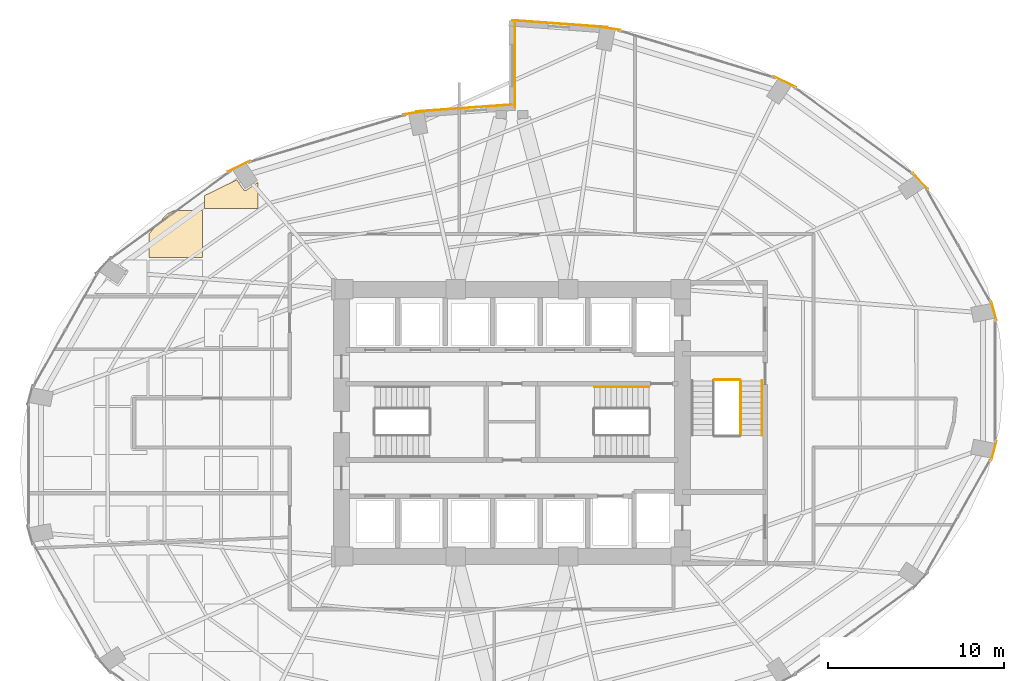
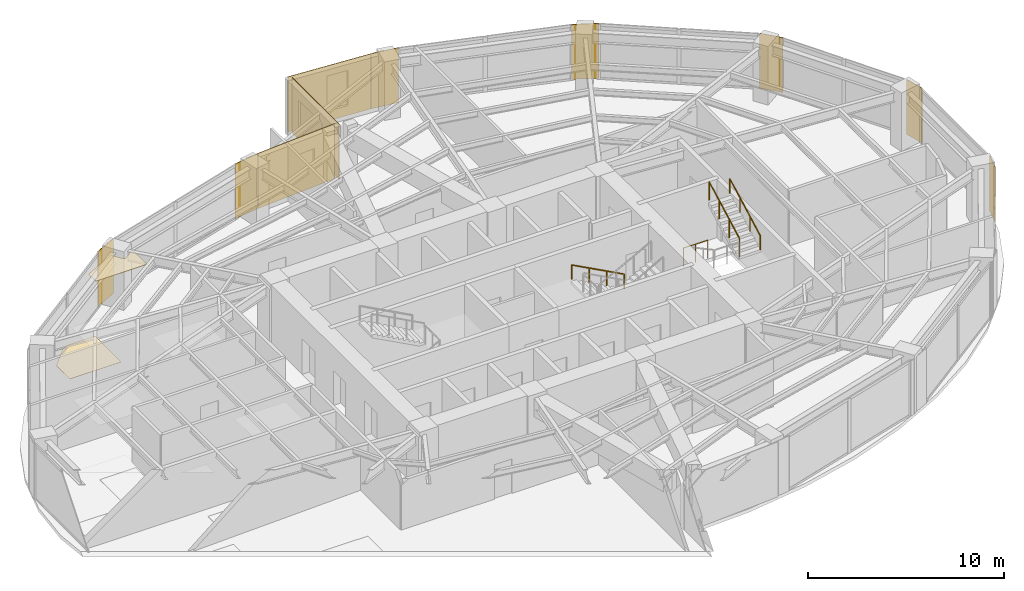
# One storey, part 24 of 24: 12 coverings, 4 railings.
"""IFC4 building model written with IfcOpenShell, lengths in metres."""

from ifc_helpers import new_model, si_unit, direction, frame, origin, origin_2d, place, context, subcontext, project, spatial, polyline, rectangle, circle, outline, extrude, material, layer, layer_set, type_object, element, save


model = new_model("IFC4")

# Units and contexts
model_context = context("Model", 3, precision=1e-05, world=origin(), true_north=direction((0.0, 1.0)))
body_context = subcontext(model_context, "Body", "Model", "MODEL_VIEW")
ifc_project = project(units=[si_unit("LENGTHUNIT", "METRE"), si_unit("AREAUNIT", "SQUARE_METRE"), si_unit("VOLUMEUNIT", "CUBIC_METRE"), si_unit("PLANEANGLEUNIT", "RADIAN"), si_unit("MASSUNIT", "GRAM", prefix="KILO")], contexts=[model_context])

# Site, building, storey
site_placement = place(None, origin())
site = spatial("IfcSite", under=ifc_project, at=site_placement, CompositionType="ELEMENT")
building_placement = place(site_placement, origin())
building = spatial("IfcBuilding", under=site, at=building_placement, Name="Lazwardi Medical Tower", CompositionType="ELEMENT")
storey_placement = place(building_placement, frame((0.0, 0.0, 36.14404296875)))
storey = spatial("IfcBuildingStorey", under=building, at=storey_placement, Name="L08", CompositionType="ELEMENT", Elevation=36.14404296875)

# Coverings
ifc_material_1 = material(Name="Anodised bronze aluminium cassette cladding", Category="aluminium")
ifc_layer_1 = layer(ifc_material_1, 0.030029296875)
ifc_layer_set_1 = layer_set([ifc_layer_1], Name="Anodised bronze aluminium cassette cladding")
covering_type_1 = type_object("IfcCoveringType", Name="COV-CLD-BRZ", PredefinedType="CLADDING", material=ifc_layer_set_1)
for number, where, z_axis, x_axis, name in (
    (1, (63.420654296875, 26.408203125, 0.0), (0.0, 0.0, 1.0), (0.262283496593, 0.964990863902, 0.0), "L08 Mega-column bronze cassette cover M04"),
    (2, (63.420654296875, 34.3916015625, 0.0), (0.0, 0.0, 1.0), (-0.262283496593, 0.964990863902, 0.0), "L08 Mega-column bronze cassette cover M05"),
):
    element("IfcCovering", number, at=place(storey_placement, frame(where, z_axis=z_axis, x_axis=x_axis)), inside=storey, type_object=covering_type_1, Name=name, PredefinedType="CLADDING", context=body_context, shape_type="SweptSolid", body=[
        extrude(rectangle(XDim=1.12548828125, YDim=0.030029296875, at=origin_2d()), origin(), (0.0, 0.0, 1.0), 3.427978515625),
    ])
covering_1_placement = place(storey_placement, frame((59.24609375, 41.767333984375, 0.0), z_axis=(0.0, 0.0, 1.0), x_axis=(-0.674252120961, 0.738501237223, 0.0)))
element("IfcCovering", 3, at=covering_1_placement, inside=storey, type_object=covering_type_1, Name="L08 Mega-column bronze cassette cover M06", PredefinedType="CLADDING", context=body_context, shape_type="SweptSolid", body=[
    extrude(rectangle(XDim=1.24658203125, YDim=0.030029296875, at=origin_2d()), origin(), (0.0, 0.0, 1.0), 3.427978515625),
])
covering_2_placement = place(storey_placement, frame((51.532470703125, 47.412353515625, 0.0), z_axis=(0.0, 0.0, 1.0), x_axis=(-0.898334492373, 0.439312121178, 0.0)))
element("IfcCovering", 4, at=covering_2_placement, inside=storey, type_object=covering_type_1, Name="L08 Mega-column bronze cassette cover M07", PredefinedType="CLADDING", context=body_context, shape_type="SweptSolid", body=[
    extrude(rectangle(XDim=1.400390625, YDim=0.030029296875, at=origin_2d()), origin(), (0.0, 0.0, 1.0), 3.427978515625),
])
for number, where, z_axis, x_axis, name in (
    (5, (41.454345703125, 50.46728515625, 0.0), (0.0, 0.0, 1.0), (-0.98957259946, 0.144034962415, 0.0), "L08 Mega-column bronze cassette cover M08"),
    (6, (30.545654296875, 45.66748046875, 0.0), (0.0, 0.0, 1.0), (-0.98957259946, -0.144034962415, 0.0), "L08 Mega-column bronze cassette cover M09"),
):
    element("IfcCovering", number, at=place(storey_placement, frame(where, z_axis=z_axis, x_axis=x_axis)), inside=storey, type_object=covering_type_1, Name=name, PredefinedType="CLADDING", context=body_context, shape_type="SweptSolid", body=[
        extrude(rectangle(XDim=1.49951171875, YDim=0.030029296875, at=origin_2d()), origin(), (0.0, 0.0, 1.0), 3.427978515625),
    ])
covering_3_placement = place(storey_placement, frame((20.467529296875, 42.6123046875, 0.0), z_axis=(0.0, 0.0, 1.0), x_axis=(-0.898334492373, -0.439312121178, 0.0)))
element("IfcCovering", 7, at=covering_3_placement, inside=storey, type_object=covering_type_1, Name="L08 Mega-column bronze cassette cover M10", PredefinedType="CLADDING", context=body_context, shape_type="SweptSolid", body=[
    extrude(rectangle(XDim=1.400390625, YDim=0.030029296875, at=origin_2d()), origin(), (0.0, 0.0, 1.0), 3.427978515625),
])
ifc_material_2 = material(Name="Turquoise glazed ceramic tilework cladding", Category="masonry")
ifc_layer_2 = layer(ifc_material_2, 0.034912109375)
ifc_layer_set_2 = layer_set([ifc_layer_2], Name="Turquoise glazed ceramic tilework cladding")
covering_type_2 = type_object("IfcCoveringType", Name="COV-CLD-TRQ", PredefinedType="CLADDING", material=ifc_layer_set_2)
covering_4_placement = place(storey_placement, frame((38.728271484375, 50.719482421875, 0.0), z_axis=(0.0, 0.0, 1.0), x_axis=(-0.997421404513, 0.071767275412, 0.0)))
element("IfcCovering", 8, at=covering_4_placement, inside=storey, type_object=covering_type_2, Name="L08 Turquoise glazed ceramic tilework cladding", PredefinedType="CLADDING", context=body_context, shape_type="SweptSolid", body=[
    extrude(rectangle(XDim=5.4453125, YDim=0.034912109375, at=origin_2d()), origin(), (0.0, 0.0, 1.0), 3.427978515625),
])
covering_5_placement = place(storey_placement, frame((33.271484375, 45.919677734375, 0.0), z_axis=(0.0, 0.0, 1.0), x_axis=(-0.997420903458, -0.071774238726, 0.0)))
element("IfcCovering", 9, at=covering_5_placement, inside=storey, type_object=covering_type_2, Name="L08 Turquoise glazed ceramic tilework cladding", PredefinedType="CLADDING", context=body_context, shape_type="SweptSolid", body=[
    extrude(rectangle(XDim=5.44482421875, YDim=0.034912109375, at=origin_2d()), origin(), (0.0, 0.0, 1.0), 3.427978515625),
])
covering_6_placement = place(storey_placement, frame((36.175537109375, 48.340087890625, 0.0), z_axis=(0.0, 0.0, 1.0), x_axis=(0.0, -1.0, 0.0)))
element("IfcCovering", 10, at=covering_6_placement, inside=storey, type_object=covering_type_2, Name="L08 Turquoise glazed ceramic tilework iwan panel", PredefinedType="CLADDING", context=body_context, shape_type="SweptSolid", body=[
    extrude(rectangle(XDim=4.800048828125, YDim=0.034912109375, at=origin_2d()), origin(), (0.0, 0.0, 1.0), 3.427978515625),
])
ifc_material_3 = material(Name="Acoustic mineral fibre tile")
ifc_layer_3 = layer(ifc_material_3, 0.02490234375)
ifc_layer_set_3 = layer_set([ifc_layer_3], Name="Acoustic mineral fibre tile")
covering_type_3 = type_object("IfcCoveringType", Name="COV-CLG-01", PredefinedType="CEILING", material=ifc_layer_set_3)
covering_7_placement = place(storey_placement, frame((0.0, 0.0, 3.282958984375)))
element("IfcCovering", 11, at=covering_7_placement, inside=storey, type_object=covering_type_3, Name="L08 Clinical Acoustic Ceiling 9", PredefinedType="CEILING", context=body_context, shape_type="SweptSolid", body=[
    extrude(outline(polyline([(21.532958984375, 41.68896484375), (20.84765625, 41.231201171875), (20.8408203125, 41.22705078125), (20.833740234375, 41.2236328125), (20.826416015625, 41.220947265625), (20.81884765625, 41.218994140625), (20.81103515625, 41.218017578125), (20.80322265625, 41.217529296875), (20.79541015625, 41.218017578125), (20.78759765625, 41.218994140625), (20.780029296875, 41.220947265625), (20.772705078125, 41.2236328125), (20.765380859375, 41.22705078125), (20.7587890625, 41.231201171875), (20.75244140625, 41.23583984375), (20.74658203125, 41.240966796875), (20.741455078125, 41.246826171875), (20.73681640625, 41.253173828125), (20.3447265625, 41.839599609375), (18.5029296875, 40.940673828125), (18.5029296875, 40.202392578125), (21.532958984375, 40.202392578125), (21.532958984375, 41.68896484375)])), origin(), (0.0, 0.0, 1.0), 0.02490234375),
])
ifc_material_4 = material(Name="Anti-static hospital vinyl sheet flooring")
ifc_layer_4 = layer(ifc_material_4, 0.014892578125)
ifc_layer_set_4 = layer_set([ifc_layer_4], Name="Anti-static hospital vinyl sheet flooring")
covering_type_4 = type_object("IfcCoveringType", Name="COV-FLR-01", PredefinedType="FLOORING", material=ifc_layer_set_4)
covering_8_placement = place(storey_placement, origin())
element("IfcCovering", 12, at=covering_8_placement, inside=storey, type_object=covering_type_4, Name="L08 Clinical Vinyl Flooring 8", PredefinedType="FLOORING", context=body_context, shape_type="SweptSolid", body=[
    extrude(outline(polyline([(16.744384765625, 40.08251953125), (16.377197265625, 39.9033203125), (15.352783203125, 38.78369140625), (15.352783203125, 37.402587890625), (18.3828125, 37.402587890625), (18.3828125, 40.08251953125), (16.744384765625, 40.08251953125)])), origin(), (0.0, 0.0, 1.0), 0.014892578125),
])

# Railings
ifc_material_5 = material(Name="Stainless steel Grade 316", Category="steel")
railing_type_1 = type_object("IfcRailingType", Name="RLG-GRD-1150", PredefinedType="GUARDRAIL", material=ifc_material_5)
railing_1_placement = place(storey_placement, frame((49.010009765625, 27.300048828125, 1.98974609375)))
element("IfcRailing", 13, at=railing_1_placement, inside=storey, type_object=railing_type_1, Name="L08 ST3 stair guard 3", PredefinedType="GUARDRAIL", context=body_context, shape_type="SweptSolid", body=[
    extrude(circle(Radius=0.02392578125, at=origin_2d()), frame((0.0, 0.0, 1.1259765625), z_axis=(0.0, 0.881767849116, 0.471683644262), x_axis=(-1.0, 0.0, 0.0)), (0.0, 0.0, 1.0), 3.515380859375),
    extrude(circle(Radius=0.02099609375, at=origin_2d()), origin(), (0.0, 0.0, 1.0), 1.099853515625),
    extrude(circle(Radius=0.02099609375, at=origin_2d()), frame((0.0, 1.033203125, 0.552734375)), (0.0, 0.0, 1.0), 1.099853515625),
    extrude(circle(Radius=0.02099609375, at=origin_2d()), frame((0.0, 2.066650390625, 1.10546875)), (0.0, 0.0, 1.0), 1.099853515625),
    extrude(circle(Radius=0.02099609375, at=origin_2d()), frame((0.0, 3.099853515625, 1.658203125)), (0.0, 0.0, 1.0), 1.099853515625),
])
railing_2_placement = place(storey_placement, frame((47.52001953125, 30.449951171875, 0.0)))
element("IfcRailing", 14, at=railing_2_placement, inside=storey, type_object=railing_type_1, Name="L08 ST3 stair guard 4", PredefinedType="GUARDRAIL", context=body_context, shape_type="SweptSolid", body=[
    extrude(circle(Radius=0.02392578125, at=origin_2d()), frame((0.0, 0.0, 1.1259765625), z_axis=(1.0, 0.0, 0.0), x_axis=(0.0, 1.0, 0.0)), (0.0, 0.0, 1.0), 1.43994140625),
    extrude(circle(Radius=0.02099609375, at=origin_2d()), origin(), (0.0, 0.0, 1.0), 1.099853515625),
    extrude(circle(Radius=0.02099609375, at=origin_2d()), frame((0.719970703125, 0.0, 0.0)), (0.0, 0.0, 1.0), 1.099853515625),
    extrude(circle(Radius=0.02099609375, at=origin_2d()), frame((1.43994140625, 0.0, 0.0)), (0.0, 0.0, 1.0), 1.099853515625),
])
railing_type_2 = type_object("IfcRailingType", Name="RLG-HND-920", PredefinedType="HANDRAIL", material=ifc_material_5)
railing_3_placement = place(storey_placement, frame((43.800048828125, 30.050048828125, 0.165771484375)))
element("IfcRailing", 15, at=railing_3_placement, inside=storey, type_object=railing_type_2, Name="L08 ST2 stair handrail 1", PredefinedType="HANDRAIL", context=body_context, shape_type="SweptSolid", body=[
    extrude(circle(Radius=0.02392578125, at=origin_2d()), frame((0.0, 0.0, 0.8857421875), z_axis=(-0.881783298633, 0.0, 0.471654761719), x_axis=(0.0, -1.0, 0.0)), (0.0, 0.0, 1.0), 3.515625),
    extrude(circle(Radius=0.02099609375, at=origin_2d()), origin(), (0.0, 0.0, 1.0), 0.85986328125),
    extrude(circle(Radius=0.02099609375, at=origin_2d()), frame((-1.033447265625, 0.0, 0.552734375)), (0.0, 0.0, 1.0), 0.85986328125),
    extrude(circle(Radius=0.02099609375, at=origin_2d()), frame((-2.066650390625, 0.0, 1.10546875)), (0.0, 0.0, 1.0), 0.85986328125),
    extrude(circle(Radius=0.02099609375, at=origin_2d()), frame((-3.10009765625, 0.0, 1.658203125)), (0.0, 0.0, 1.0), 0.85986328125),
])
railing_4_placement = place(storey_placement, frame((50.22998046875, 27.300048828125, 1.98974609375)))
element("IfcRailing", 16, at=railing_4_placement, inside=storey, type_object=railing_type_2, Name="L08 ST3 stair handrail 2", PredefinedType="HANDRAIL", context=body_context, shape_type="SweptSolid", body=[
    extrude(circle(Radius=0.02392578125, at=origin_2d()), frame((0.0, 0.0, 0.8857421875), z_axis=(0.0, 0.881767849116, 0.471683644262), x_axis=(-1.0, 0.0, 0.0)), (0.0, 0.0, 1.0), 3.515380859375),
    extrude(circle(Radius=0.02099609375, at=origin_2d()), origin(), (0.0, 0.0, 1.0), 0.85986328125),
    extrude(circle(Radius=0.02099609375, at=origin_2d()), frame((0.0, 1.033203125, 0.552734375)), (0.0, 0.0, 1.0), 0.85986328125),
    extrude(circle(Radius=0.02099609375, at=origin_2d()), frame((0.0, 2.066650390625, 1.10546875)), (0.0, 0.0, 1.0), 0.85986328125),
    extrude(circle(Radius=0.02099609375, at=origin_2d()), frame((0.0, 3.099853515625, 1.658203125)), (0.0, 0.0, 1.0), 0.85986328125),
])

save(model, "model.ifc")
